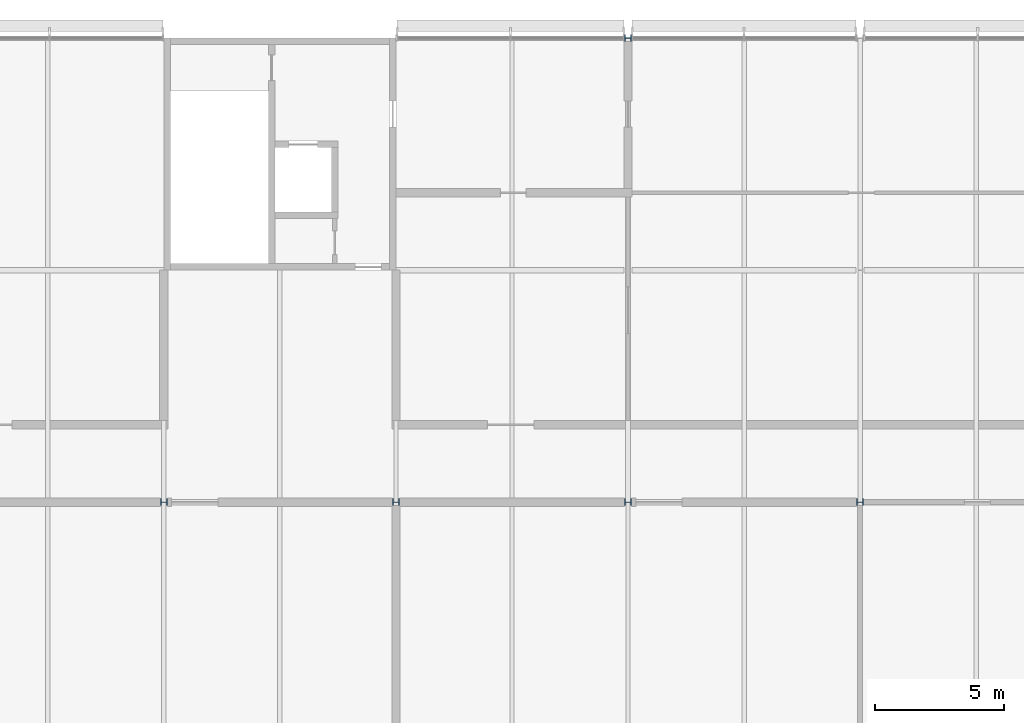
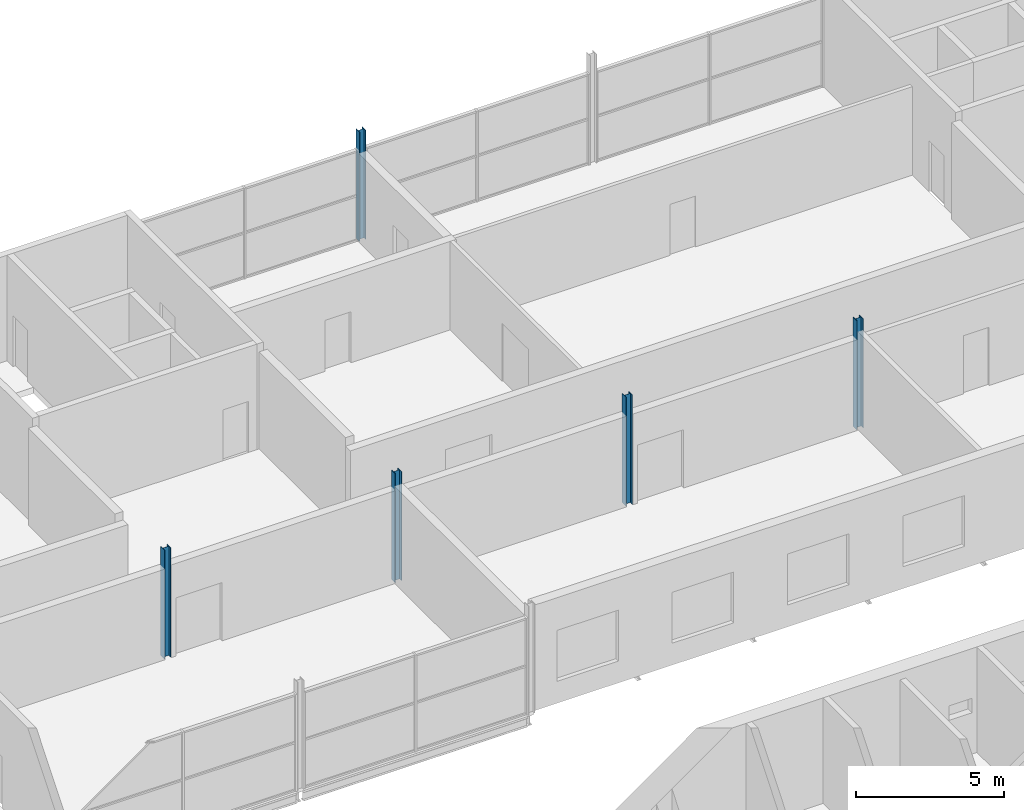
# One storey, part 25 of 138: 5 columns.
"""IFC4 building model written with IfcOpenShell, lengths in metres."""

from ifc_helpers import new_model, si_unit, direction, frame, origin, origin_2d, place, context, subcontext, project, spatial, i_section, extrude, material, material_profile, profile_set, type_object, element, save


model = new_model("IFC4")

# Units and contexts
model_context = context("Model", 3, precision=1e-05, world=origin(), true_north=direction((0.0, 1.0)))
body_context = subcontext(model_context, "Body", "Model", "MODEL_VIEW")
ifc_project = project(units=[si_unit("LENGTHUNIT", "METRE"), si_unit("AREAUNIT", "SQUARE_METRE"), si_unit("VOLUMEUNIT", "CUBIC_METRE"), si_unit("PLANEANGLEUNIT", "RADIAN"), si_unit("MASSUNIT", "GRAM", prefix="KILO")], contexts=[model_context])

# Site, building, storey
site_placement = place(None, origin())
site = spatial("IfcSite", under=ifc_project, at=site_placement, CompositionType="ELEMENT")
building_placement = place(site_placement, origin())
building = spatial("IfcBuilding", under=site, at=building_placement, Name="Corbel Yard City Hall", CompositionType="ELEMENT")
storey_placement = place(building_placement, frame((0.0, 0.0, 10.5)))
storey = spatial("IfcBuildingStorey", under=building, at=storey_placement, Name="L02", CompositionType="ELEMENT", Elevation=10.5)

# Columns
ifc_material = material(Name="Steel Grade 300 (300 MPa yield)", Category="steel")
ifc_material_profile_1 = material_profile(ifc_material, i_section(OverallWidth=0.25390625, OverallDepth=0.25390625, WebThickness=0.008544921875, FlangeThickness=0.01416015625, at=origin_2d()), Name="250UC72.9")
ifc_profile_set_1 = profile_set([ifc_material_profile_1], Name="Steel Grade 300 (300 MPa yield)")
column_type_1 = type_object("IfcColumnType", Name="Column 250UC72.9", PredefinedType="COLUMN", material=ifc_profile_set_1)
column_placement = place(storey_placement, frame((153.0, 117.0, 0.0), z_axis=(0.0, 0.0, 1.0), x_axis=(0.0, 1.0, 0.0)))
element("IfcColumn", 1, at=column_placement, inside=storey, type_object=column_type_1, Name="Column 250UC72.9 N/18 L02", PredefinedType="COLUMN", context=body_context, shape_type="SweptSolid", body=[
    extrude(i_section(OverallWidth=0.25390625, OverallDepth=0.25390625, WebThickness=0.008544921875, FlangeThickness=0.01416015625, at=origin_2d()), origin(), (0.0, 0.0, 1.0), 4.5),
])
ifc_material_profile_2 = material_profile(ifc_material, i_section(OverallWidth=0.256103515625, OverallDepth=0.260009765625, WebThickness=0.010498046875, FlangeThickness=0.017333984375, at=origin_2d()), Name="250UC89.5")
ifc_profile_set_2 = profile_set([ifc_material_profile_2], Name="Steel Grade 300 (300 MPa yield)")
column_type_2 = type_object("IfcColumnType", Name="Column 250UC89.5", PredefinedType="COLUMN", material=ifc_profile_set_2)
for number, where, z_axis, x_axis, name in (
    (2, (135.0, 99.0, 0.0), (0.0, 0.0, 1.0), (0.0, 1.0, 0.0), "Column 250UC89.5 L/16 L02"),
    (3, (144.0, 99.0, 0.0), (0.0, 0.0, 1.0), (0.0, 1.0, 0.0), "Column 250UC89.5 L/17 L02"),
    (4, (153.0, 99.0, 0.0), (0.0, 0.0, 1.0), (0.0, 1.0, 0.0), "Column 250UC89.5 L/18 L02"),
    (5, (162.0, 99.0, 0.0), (0.0, 0.0, 1.0), (0.0, 1.0, 0.0), "Column 250UC89.5 L/19 L02"),
):
    element("IfcColumn", number, at=place(storey_placement, frame(where, z_axis=z_axis, x_axis=x_axis)), inside=storey, type_object=column_type_2, Name=name, PredefinedType="COLUMN", context=body_context, shape_type="SweptSolid", body=[
        extrude(i_section(OverallWidth=0.256103515625, OverallDepth=0.260009765625, WebThickness=0.010498046875, FlangeThickness=0.017333984375, at=origin_2d()), origin(), (0.0, 0.0, 1.0), 4.5),
    ])

save(model, "model.ifc")
